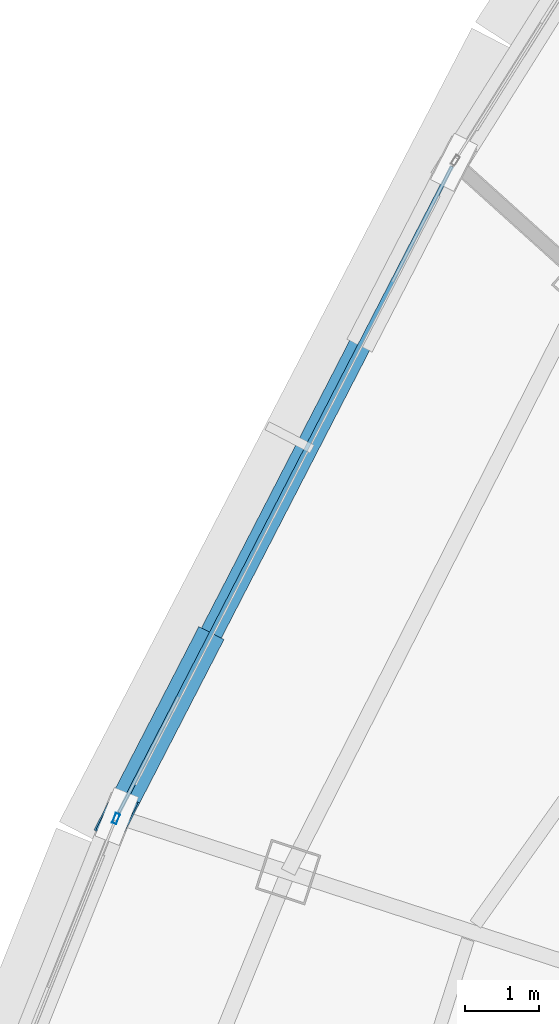
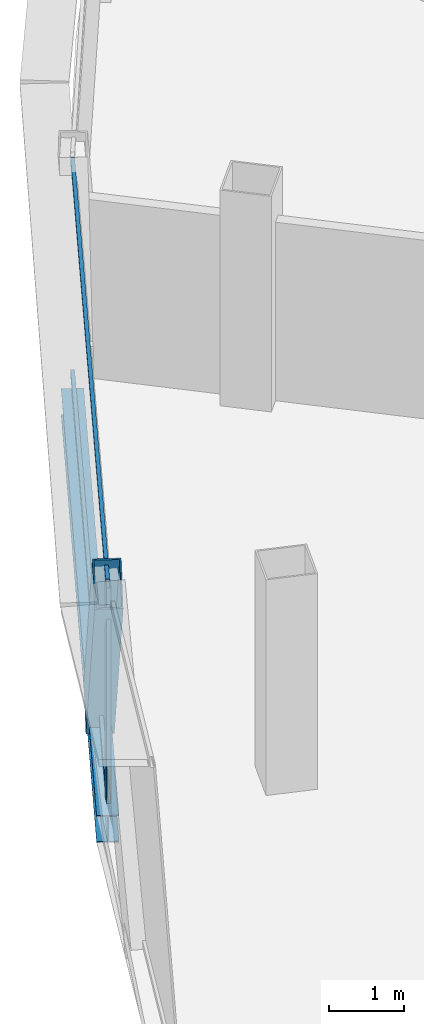
# One storey, part 7 of 30: 4 members, 1 beam, 2 elements without a shape of their own.
"""IFC4 building model written with IfcOpenShell, lengths in metres."""

from ifc_helpers import new_model, si_unit, direction, frame, origin, origin_2d, place, context, subcontext, project, spatial, hollow_rectangle, i_section, extrude, source, transform, mapped, material, layer, layer_set, material_profile, profile_set, type_object, element, aggregate, save


model = new_model("IFC4")

# Units and contexts
model_context = context("Model", 3, precision=1e-05, world=origin(), true_north=direction((0.0, 1.0)))
body_context = subcontext(model_context, "Body", "Model", "MODEL_VIEW")
ifc_project = project(units=[si_unit("LENGTHUNIT", "METRE"), si_unit("AREAUNIT", "SQUARE_METRE"), si_unit("VOLUMEUNIT", "CUBIC_METRE"), si_unit("PLANEANGLEUNIT", "RADIAN"), si_unit("MASSUNIT", "GRAM", prefix="KILO"), si_unit("THERMODYNAMICTEMPERATUREUNIT", "KELVIN"), si_unit("POWERUNIT", "WATT")], contexts=[model_context])

# Site, building, storey
site_placement = place(None, origin())
site = spatial("IfcSite", under=ifc_project, at=site_placement, CompositionType="ELEMENT")
building_placement = place(site_placement, origin())
building = spatial("IfcBuilding", under=site, at=building_placement, Name="Yunzhuo Pagoda Commons", CompositionType="ELEMENT")
storey_placement = place(building_placement, frame((0.0, 0.0, 348.010009765625)))
storey = spatial("IfcBuildingStorey", under=building, at=storey_placement, Name="L87", CompositionType="ELEMENT", Elevation=348.010009765625)

# Beam
ifc_material_1 = material(Name="Structural steel Q355B", Category="steel")
ifc_material_profile_1 = material_profile(ifc_material_1, i_section(OverallWidth=0.300048828125, OverallDepth=0.43994140625, WebThickness=0.010986328125, FlangeThickness=0.01806640625, at=origin_2d()), Name="Structural steel Q355B")
ifc_profile_set_1 = profile_set([ifc_material_profile_1], Name="Structural steel Q355B")
beam_type = type_object("IfcBeamType", Name="B-SP2 Beam HM 440x300x11x18", PredefinedType="BEAM", material=ifc_profile_set_1)
shared_shape_1 = source(origin(), body_context, "Body", "SweptSolid", [
    extrude(i_section(OverallWidth=0.300048828125, OverallDepth=0.43994140625, WebThickness=0.010986328125, FlangeThickness=0.01806640625, at=origin_2d()), origin(), (0.0, 0.0, 1.0), 9.884765625),
])
beam_placement = place(storey_placement, frame((30.175537109375, 49.749267578125, -0.47998046875), z_axis=(-0.458204989811, -0.888846548799, 0.0), x_axis=(0.888846548799, -0.458204989811, 0.0)))
element("IfcBeam", 1, at=beam_placement, inside=storey, type_object=beam_type, Name="L87 facade edge spandrel beam F3.2", PredefinedType="BEAM", context=body_context, shape_type="MappedRepresentation", body=[
    mapped(shared_shape_1, transform((0.0, 0.0, 0.0), scale=1.0)),
])

# Member
ifc_material_profile_2 = material_profile(ifc_material_1, hollow_rectangle(XDim=0.3798828125, YDim=0.719970703125, WallThickness=0.02001953125, at=origin_2d()), Name="Structural steel Q355B")
ifc_profile_set_2 = profile_set([ifc_material_profile_2], Name="Structural steel Q355B")
member_type_1 = type_object("IfcMemberType", Name="M-DL3 Brace BOX 720x380x20", PredefinedType="BRACE", material=ifc_profile_set_2)
shared_shape_2 = source(origin(), body_context, "Body", "SweptSolid", [
    extrude(hollow_rectangle(XDim=0.3798828125, YDim=0.719970703125, WallThickness=0.02001953125, at=origin_2d()), origin(), (0.0, 0.0, 1.0), 4.4912109375),
])
member_1_placement = place(storey_placement, frame((26.77880859375, 43.15966796875, -0.260009765625), z_axis=(-0.252180677425, -0.489085913944, 0.83498495478), x_axis=(0.888806311113, -0.458283036262, 0.0)))
element("IfcMember", 2, at=member_1_placement, inside=storey, type_object=member_type_1, Name="L87 facade diamond brace F3.2R", PredefinedType="BRACE", context=body_context, shape_type="MappedRepresentation", body=[
    mapped(shared_shape_2, transform((0.0, 0.0, 0.0), scale=1.0)),
])

# Curtain wall, member
ifc_material_2 = material(Name="Anodized aluminium 6063-T6", Category="aluminium")
ifc_layer = layer(ifc_material_2, 0.139892578125)
ifc_layer_set = layer_set([ifc_layer], Name="Anodized aluminium 6063-T6")
curtain_wall_type = type_object("IfcCurtainWallType", Name="CW-HI High-Zone Ribbon Curtain Wall", PredefinedType="NOTDEFINED", material=ifc_layer_set)
curtain_wall_1_placement = place(storey_placement, origin())
curtain_wall_1 = element("IfcCurtainWall", 3, at=curtain_wall_1_placement, inside=storey, type_object=curtain_wall_type, Name="L87 curtain wall CW-L87-F3B4", PredefinedType="NOTDEFINED")
ifc_material_profile_3 = material_profile(ifc_material_2, hollow_rectangle(XDim=0.06005859375, YDim=0.139892578125, WallThickness=0.00341796875, at=origin_2d()), Name="Anodized aluminium 6063-T6")
ifc_profile_set_3 = profile_set([ifc_material_profile_3], Name="Anodized aluminium 6063-T6")
member_type_2 = type_object("IfcMemberType", Name="CW-HI-M Mullion RHS 140x60x3.5", PredefinedType="MULLION", material=ifc_profile_set_3)
shared_shape_3 = source(origin(), body_context, "Body", "SweptSolid", [
    extrude(hollow_rectangle(XDim=0.06005859375, YDim=0.139892578125, WallThickness=0.00341796875, at=origin_2d()), origin(), (0.0, 0.0, 1.0), 3.489990234375),
])
member_2_placement = place(storey_placement, frame((25.635009765625, 40.935302734375, 0.0), z_axis=(0.0, 0.0, 1.0), x_axis=(0.92803921175, -0.372482511608, 0.0)))
member_2 = element("IfcMember", 4, at=member_2_placement, type_object=member_type_2, Name="CW mullion 1", PredefinedType="MULLION", context=body_context, shape_type="MappedRepresentation", body=[
    mapped(shared_shape_3, transform((0.0, 0.0, 0.0), scale=1.0)),
])
aggregate(curtain_wall_1, [member_2])

# Curtain wall, members
curtain_wall_2_placement = place(storey_placement, origin())
curtain_wall_2 = element("IfcCurtainWall", 5, at=curtain_wall_2_placement, inside=storey, type_object=curtain_wall_type, Name="L87 curtain wall CW-L87-F3B3", PredefinedType="NOTDEFINED")
ifc_material_profile_4 = material_profile(ifc_material_2, hollow_rectangle(XDim=0.054931640625, YDim=0.1201171875, WallThickness=0.00341796875, at=origin_2d()), Name="Anodized aluminium 6063-T6")
ifc_profile_set_4 = profile_set([ifc_material_profile_4], Name="Anodized aluminium 6063-T6")
member_type_3 = type_object("IfcMemberType", Name="CW-HI-T Transom RHS 120x55x3.5", PredefinedType="USERDEFINED", material=ifc_profile_set_4)
shared_shape_4 = source(origin(), body_context, "Body", "SweptSolid", [
    extrude(hollow_rectangle(XDim=0.054931640625, YDim=0.1201171875, WallThickness=0.00341796875, at=origin_2d()), origin(), (0.0, 0.0, 1.0), 9.764892578125),
])
member_3_placement = place(storey_placement, frame((30.14794921875, 49.696044921875, 0.027587890625), z_axis=(-0.458210436788, -0.888843740833, 0.0), x_axis=(0.888843740833, -0.458210436788, 0.0)))
member_3 = element("IfcMember", 6, at=member_3_placement, type_object=member_type_3, Name="CW transom 1.1", ObjectType="TRANSOM", PredefinedType="USERDEFINED", context=body_context, shape_type="MappedRepresentation", body=[
    mapped(shared_shape_4, transform((0.0, 0.0, 0.0), scale=1.0)),
])
member_4_placement = place(storey_placement, frame((30.14794921875, 49.696044921875, 3.46240234375), z_axis=(-0.458210436788, -0.888843740833, 0.0), x_axis=(0.888843740833, -0.458210436788, 0.0)))
member_4 = element("IfcMember", 7, at=member_4_placement, type_object=member_type_3, Name="CW transom 1.2", ObjectType="TRANSOM", PredefinedType="USERDEFINED", context=body_context, shape_type="MappedRepresentation", body=[
    mapped(shared_shape_4, transform((0.0, 0.0, 0.0), scale=1.0)),
])
aggregate(curtain_wall_2, [member_3, member_4])

save(model, "model.ifc")
